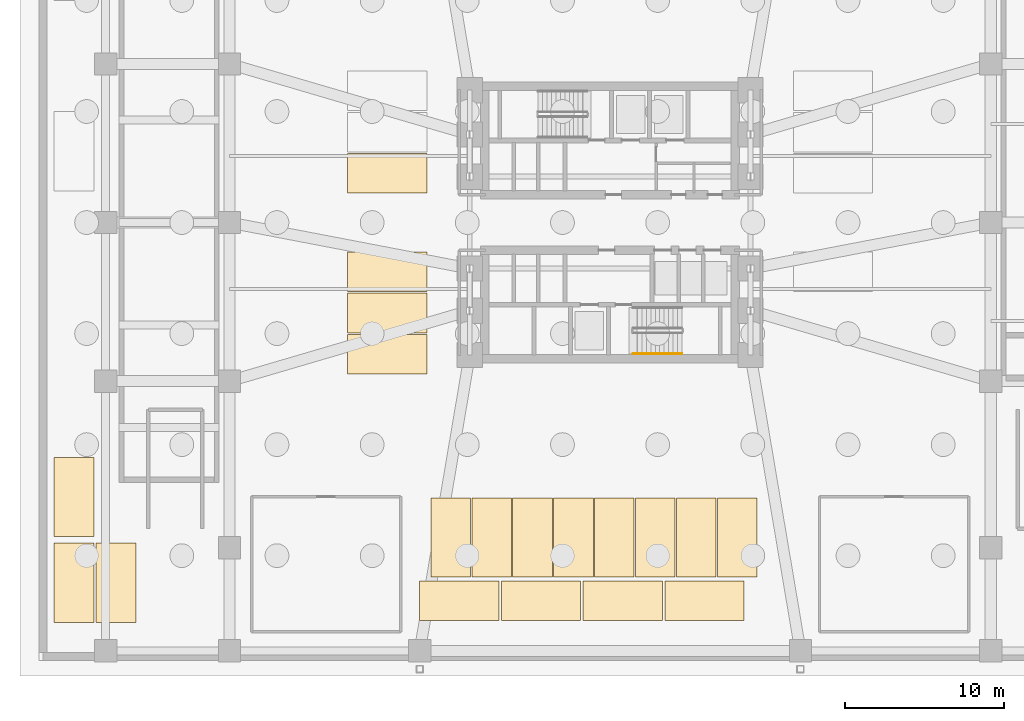
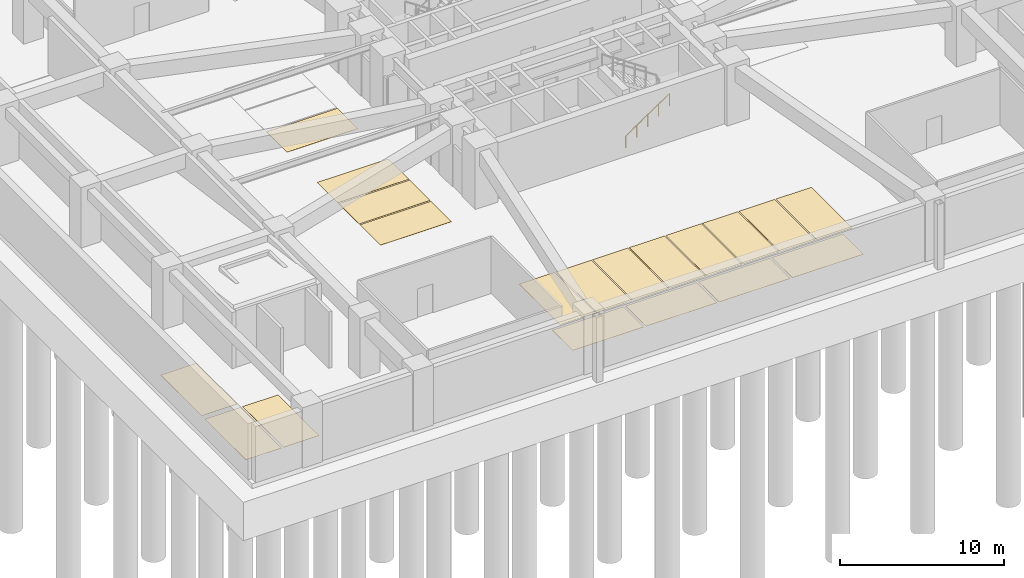
# One storey, part 9 of 14: 19 coverings, 1 railing.
"""IFC4 building model written with IfcOpenShell, lengths in metres."""

from ifc_helpers import new_model, si_unit, direction, frame, origin, origin_2d, place, context, subcontext, project, spatial, polyline, circle, outline, extrude, material, layer, layer_set, type_object, element, save


model = new_model("IFC4")

# Units and contexts
model_context = context("Model", 3, precision=1e-05, world=origin(), true_north=direction((0.0, 1.0)))
body_context = subcontext(model_context, "Body", "Model", "MODEL_VIEW")
ifc_project = project(units=[si_unit("LENGTHUNIT", "METRE"), si_unit("AREAUNIT", "SQUARE_METRE"), si_unit("VOLUMEUNIT", "CUBIC_METRE"), si_unit("PLANEANGLEUNIT", "RADIAN"), si_unit("MASSUNIT", "GRAM", prefix="KILO")], contexts=[model_context])

# Site, building, storey
site_placement = place(None, origin())
site = spatial("IfcSite", under=ifc_project, at=site_placement, CompositionType="ELEMENT")
building_placement = place(site_placement, origin())
building = spatial("IfcBuilding", under=site, at=building_placement, Name="Solmarez Civic Tower", CompositionType="ELEMENT")
storey_placement = place(building_placement, frame((0.0, 0.0, -9.0)))
storey = spatial("IfcBuildingStorey", under=building, at=storey_placement, Name="B2", CompositionType="ELEMENT", Elevation=-9.0)

# Coverings
ifc_material_1 = material(Name="Epoxy Traffic Deck Coating")
ifc_layer = layer(ifc_material_1, 0.010009765625)
ifc_layer_set = layer_set([ifc_layer], Name="Epoxy Traffic Deck Coating")
covering_type = type_object("IfcCoveringType", Name="COV-PARK-BAY", PredefinedType="FLOORING", material=ifc_layer_set)
covering_1_placement = place(storey_placement, origin())
element("IfcCovering", 1, at=covering_1_placement, inside=storey, type_object=covering_type, Name="B2 Parking Bay Marking 001", PredefinedType="FLOORING", context=body_context, shape_type="SweptSolid", body=[
    extrude(outline(polyline([(-11.300048828125, -22.35009765625), (-8.800048828125, -22.35009765625), (-8.800048828125, -17.35009765625), (-11.300048828125, -17.35009765625), (-11.300048828125, -22.35009765625)])), origin(), (0.0, 0.0, 1.0), 0.010009765625),
])
covering_2_placement = place(storey_placement, origin())
element("IfcCovering", 2, at=covering_2_placement, inside=storey, type_object=covering_type, Name="B2 Parking Bay Marking 002", PredefinedType="FLOORING", context=body_context, shape_type="SweptSolid", body=[
    extrude(outline(polyline([(-8.719970703125, -22.35009765625), (-6.219970703125, -22.35009765625), (-6.219970703125, -17.35009765625), (-8.719970703125, -17.35009765625), (-8.719970703125, -22.35009765625)])), origin(), (0.0, 0.0, 1.0), 0.010009765625),
])
covering_3_placement = place(storey_placement, origin())
element("IfcCovering", 3, at=covering_3_placement, inside=storey, type_object=covering_type, Name="B2 Parking Bay Marking 003", PredefinedType="FLOORING", context=body_context, shape_type="SweptSolid", body=[
    extrude(outline(polyline([(-6.139892578125, -22.35009765625), (-3.639892578125, -22.35009765625), (-3.639892578125, -17.35009765625), (-6.139892578125, -17.35009765625), (-6.139892578125, -22.35009765625)])), origin(), (0.0, 0.0, 1.0), 0.010009765625),
])
covering_4_placement = place(storey_placement, origin())
element("IfcCovering", 4, at=covering_4_placement, inside=storey, type_object=covering_type, Name="B2 Parking Bay Marking 004", PredefinedType="FLOORING", context=body_context, shape_type="SweptSolid", body=[
    extrude(outline(polyline([(-3.56005859375, -22.35009765625), (-1.06005859375, -22.35009765625), (-1.06005859375, -17.35009765625), (-3.56005859375, -17.35009765625), (-3.56005859375, -22.35009765625)])), origin(), (0.0, 0.0, 1.0), 0.010009765625),
])
covering_5_placement = place(storey_placement, origin())
element("IfcCovering", 5, at=covering_5_placement, inside=storey, type_object=covering_type, Name="B2 Parking Bay Marking 005", PredefinedType="FLOORING", context=body_context, shape_type="SweptSolid", body=[
    extrude(outline(polyline([(-0.97998046875, -22.35009765625), (1.52001953125, -22.35009765625), (1.52001953125, -17.35009765625), (-0.97998046875, -17.35009765625), (-0.97998046875, -22.35009765625)])), origin(), (0.0, 0.0, 1.0), 0.010009765625),
])
covering_6_placement = place(storey_placement, origin())
element("IfcCovering", 6, at=covering_6_placement, inside=storey, type_object=covering_type, Name="B2 Parking Bay Marking 006", PredefinedType="FLOORING", context=body_context, shape_type="SweptSolid", body=[
    extrude(outline(polyline([(1.60009765625, -22.35009765625), (4.10009765625, -22.35009765625), (4.10009765625, -17.35009765625), (1.60009765625, -17.35009765625), (1.60009765625, -22.35009765625)])), origin(), (0.0, 0.0, 1.0), 0.010009765625),
])
covering_7_placement = place(storey_placement, origin())
element("IfcCovering", 7, at=covering_7_placement, inside=storey, type_object=covering_type, Name="B2 Parking Bay Marking 007", PredefinedType="FLOORING", context=body_context, shape_type="SweptSolid", body=[
    extrude(outline(polyline([(4.179931640625, -22.35009765625), (6.679931640625, -22.35009765625), (6.679931640625, -17.35009765625), (4.179931640625, -17.35009765625), (4.179931640625, -22.35009765625)])), origin(), (0.0, 0.0, 1.0), 0.010009765625),
])
covering_8_placement = place(storey_placement, origin())
element("IfcCovering", 8, at=covering_8_placement, inside=storey, type_object=covering_type, Name="B2 Parking Bay Marking 008", PredefinedType="FLOORING", context=body_context, shape_type="SweptSolid", body=[
    extrude(outline(polyline([(6.760009765625, -22.35009765625), (9.260009765625, -22.35009765625), (9.260009765625, -17.35009765625), (6.760009765625, -17.35009765625), (6.760009765625, -22.35009765625)])), origin(), (0.0, 0.0, 1.0), 0.010009765625),
])
covering_9_placement = place(storey_placement, origin())
element("IfcCovering", 9, at=covering_9_placement, inside=storey, type_object=covering_type, Name="B2 Parking Bay Marking 021", PredefinedType="FLOORING", context=body_context, shape_type="SweptSolid", body=[
    extrude(outline(polyline([(-12.0, -25.10009765625), (-7.0, -25.10009765625), (-7.0, -22.60009765625), (-12.0, -22.60009765625), (-12.0, -25.10009765625)])), origin(), (0.0, 0.0, 1.0), 0.010009765625),
])
covering_10_placement = place(storey_placement, origin())
element("IfcCovering", 10, at=covering_10_placement, inside=storey, type_object=covering_type, Name="B2 Parking Bay Marking 022", PredefinedType="FLOORING", context=body_context, shape_type="SweptSolid", body=[
    extrude(outline(polyline([(-6.85009765625, -25.10009765625), (-1.85009765625, -25.10009765625), (-1.85009765625, -22.60009765625), (-6.85009765625, -22.60009765625), (-6.85009765625, -25.10009765625)])), origin(), (0.0, 0.0, 1.0), 0.010009765625),
])
covering_11_placement = place(storey_placement, origin())
element("IfcCovering", 11, at=covering_11_placement, inside=storey, type_object=covering_type, Name="B2 Parking Bay Marking 023", PredefinedType="FLOORING", context=body_context, shape_type="SweptSolid", body=[
    extrude(outline(polyline([(-1.699951171875, -25.10009765625), (3.300048828125, -25.10009765625), (3.300048828125, -22.60009765625), (-1.699951171875, -22.60009765625), (-1.699951171875, -25.10009765625)])), origin(), (0.0, 0.0, 1.0), 0.010009765625),
])
covering_12_placement = place(storey_placement, origin())
element("IfcCovering", 12, at=covering_12_placement, inside=storey, type_object=covering_type, Name="B2 Parking Bay Marking 024", PredefinedType="FLOORING", context=body_context, shape_type="SweptSolid", body=[
    extrude(outline(polyline([(3.449951171875, -25.10009765625), (8.449951171875, -25.10009765625), (8.449951171875, -22.60009765625), (3.449951171875, -22.60009765625), (3.449951171875, -25.10009765625)])), origin(), (0.0, 0.0, 1.0), 0.010009765625),
])
covering_13_placement = place(storey_placement, origin())
element("IfcCovering", 13, at=covering_13_placement, inside=storey, type_object=covering_type, Name="B2 Parking Bay Marking 025", PredefinedType="FLOORING", context=body_context, shape_type="SweptSolid", body=[
    extrude(outline(polyline([(-35.050048828125, -25.199951171875), (-32.550048828125, -25.199951171875), (-32.550048828125, -20.199951171875), (-35.050048828125, -20.199951171875), (-35.050048828125, -25.199951171875)])), origin(), (0.0, 0.0, 1.0), 0.010009765625),
])
covering_14_placement = place(storey_placement, origin())
element("IfcCovering", 14, at=covering_14_placement, inside=storey, type_object=covering_type, Name="B2 Parking Bay Marking 026", PredefinedType="FLOORING", context=body_context, shape_type="SweptSolid", body=[
    extrude(outline(polyline([(-35.050048828125, -19.800048828125), (-32.550048828125, -19.800048828125), (-32.550048828125, -14.800048828125), (-35.050048828125, -14.800048828125), (-35.050048828125, -19.800048828125)])), origin(), (0.0, 0.0, 1.0), 0.010009765625),
])
covering_15_placement = place(storey_placement, origin())
element("IfcCovering", 15, at=covering_15_placement, inside=storey, type_object=covering_type, Name="B2 Parking Bay Marking 030", PredefinedType="FLOORING", context=body_context, shape_type="SweptSolid", body=[
    extrude(outline(polyline([(-32.39990234375, -25.199951171875), (-29.89990234375, -25.199951171875), (-29.89990234375, -20.199951171875), (-32.39990234375, -20.199951171875), (-32.39990234375, -25.199951171875)])), origin(), (0.0, 0.0, 1.0), 0.010009765625),
])
covering_16_placement = place(storey_placement, origin())
element("IfcCovering", 16, at=covering_16_placement, inside=storey, type_object=covering_type, Name="B2 Parking Bay Marking 040", PredefinedType="FLOORING", context=body_context, shape_type="SweptSolid", body=[
    extrude(outline(polyline([(-16.550048828125, 1.85009765625), (-11.550048828125, 1.85009765625), (-11.550048828125, 4.35009765625), (-16.550048828125, 4.35009765625), (-16.550048828125, 1.85009765625)])), origin(), (0.0, 0.0, 1.0), 0.010009765625),
])
covering_17_placement = place(storey_placement, origin())
element("IfcCovering", 17, at=covering_17_placement, inside=storey, type_object=covering_type, Name="B2 Parking Bay Marking 043", PredefinedType="FLOORING", context=body_context, shape_type="SweptSolid", body=[
    extrude(outline(polyline([(-16.550048828125, -4.35009765625), (-11.550048828125, -4.35009765625), (-11.550048828125, -1.85009765625), (-16.550048828125, -1.85009765625), (-16.550048828125, -4.35009765625)])), origin(), (0.0, 0.0, 1.0), 0.010009765625),
])
covering_18_placement = place(storey_placement, origin())
element("IfcCovering", 18, at=covering_18_placement, inside=storey, type_object=covering_type, Name="B2 Parking Bay Marking 044", PredefinedType="FLOORING", context=body_context, shape_type="SweptSolid", body=[
    extrude(outline(polyline([(-16.550048828125, -6.949951171875), (-11.550048828125, -6.949951171875), (-11.550048828125, -4.449951171875), (-16.550048828125, -4.449951171875), (-16.550048828125, -6.949951171875)])), origin(), (0.0, 0.0, 1.0), 0.010009765625),
])
covering_19_placement = place(storey_placement, origin())
element("IfcCovering", 19, at=covering_19_placement, inside=storey, type_object=covering_type, Name="B2 Parking Bay Marking 045", PredefinedType="FLOORING", context=body_context, shape_type="SweptSolid", body=[
    extrude(outline(polyline([(-16.550048828125, -9.550048828125), (-11.550048828125, -9.550048828125), (-11.550048828125, -7.050048828125), (-16.550048828125, -7.050048828125), (-16.550048828125, -9.550048828125)])), origin(), (0.0, 0.0, 1.0), 0.010009765625),
])

# Railing
ifc_material_2 = material(Name="Brushed Stainless Steel Tube Handrail", Category="steel")
railing_type = type_object("IfcRailingType", Name="HANDRAIL-STAIR-900", PredefinedType="HANDRAIL", material=ifc_material_2)
railing_placement = place(storey_placement, frame((1.449951171875, -8.27001953125, 0.1875)))
element("IfcRailing", 20, at=railing_placement, inside=storey, type_object=railing_type, Name="B2 ST-2 stair handrail 1", PredefinedType="HANDRAIL", context=body_context, shape_type="SweptSolid", body=[
    extrude(circle(Radius=0.02392578125, at=origin_2d()), frame((0.0, 0.0, 0.8759765625), z_axis=(0.830913701846, 0.0, 0.55640131208), x_axis=(0.0, 1.0, 0.0)), (0.0, 0.0, 1.0), 3.706787109375),
    extrude(circle(Radius=0.02099609375, at=origin_2d()), origin(), (0.0, 0.0, 1.0), 0.851806640625),
    extrude(circle(Radius=0.02099609375, at=origin_2d()), frame((0.77001953125, 0.0, 0.515625)), (0.0, 0.0, 1.0), 0.851806640625),
    extrude(circle(Radius=0.02099609375, at=origin_2d()), frame((1.5400390625, 0.0, 1.03125)), (0.0, 0.0, 1.0), 0.851806640625),
    extrude(circle(Radius=0.02099609375, at=origin_2d()), frame((2.31005859375, 0.0, 1.546875)), (0.0, 0.0, 1.0), 0.851806640625),
    extrude(circle(Radius=0.02099609375, at=origin_2d()), frame((3.080078125, 0.0, 2.0625)), (0.0, 0.0, 1.0), 0.851806640625),
])

save(model, "model.ifc")
